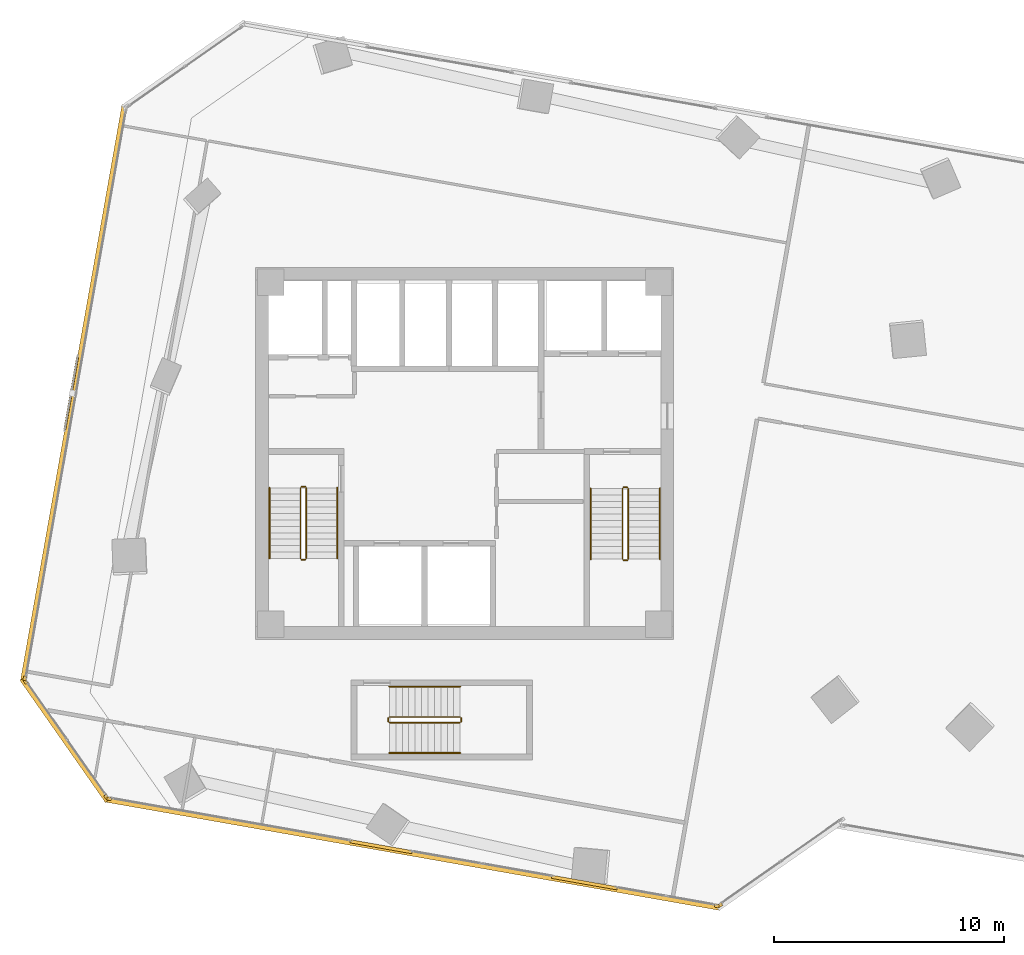
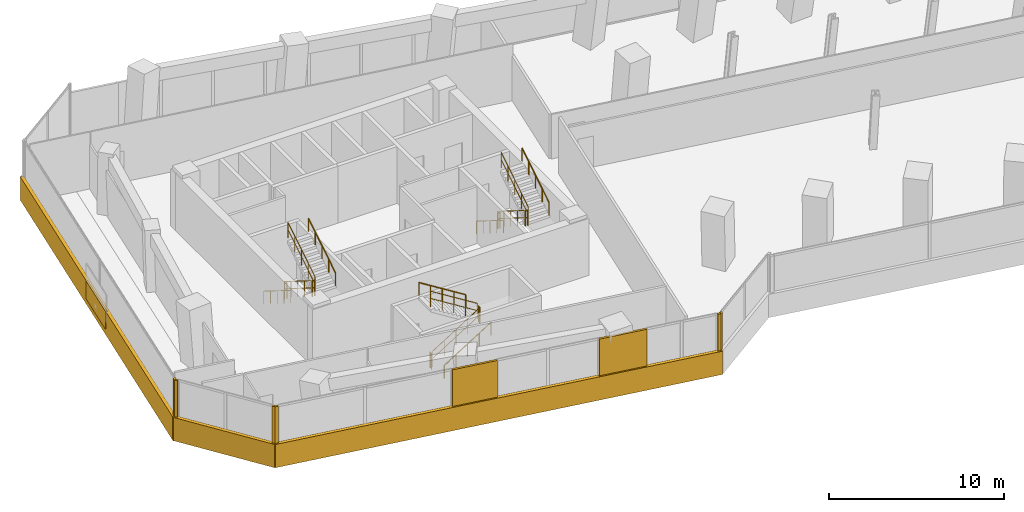
# One storey, part 22 of 24: 18 railings, 11 coverings, 1 shading device.
"""IFC4 building model written with IfcOpenShell, lengths in metres."""

from ifc_helpers import new_model, si_unit, direction, frame, origin, origin_2d, place, context, subcontext, project, spatial, rectangle, circle, extrude, source, transform, mapped, material, layer, layer_set, type_object, element, save


model = new_model("IFC4")

# Units and contexts
model_context = context("Model", 3, precision=1e-05, world=origin(), true_north=direction((0.0, 1.0)))
body_context = subcontext(model_context, "Body", "Model", "MODEL_VIEW")
ifc_project = project(units=[si_unit("LENGTHUNIT", "METRE"), si_unit("AREAUNIT", "SQUARE_METRE"), si_unit("VOLUMEUNIT", "CUBIC_METRE"), si_unit("PLANEANGLEUNIT", "RADIAN"), si_unit("MASSUNIT", "GRAM", prefix="KILO")], contexts=[model_context])

# Site, building, storey
site_placement = place(None, origin())
site = spatial("IfcSite", under=ifc_project, at=site_placement, CompositionType="ELEMENT")
building_placement = place(site_placement, origin())
building = spatial("IfcBuilding", under=site, at=building_placement, Name="Torre Montelarca", CompositionType="ELEMENT")
storey_placement = place(building_placement, frame((0.0, 0.0, 83.199951171875)))
storey = spatial("IfcBuildingStorey", under=building, at=storey_placement, Name="L18", CompositionType="ELEMENT", Elevation=83.199951171875)

# Railings
ifc_material_1 = material(Name="Powder-coated steel ASTM A500 Grade C", Category="steel")
railing_type_1 = type_object("IfcRailingType", Name="RL-GUARD-1100", PredefinedType="BALUSTRADE", material=ifc_material_1)
railing_1_placement = place(storey_placement, frame((10.85009765625, 30.5, 0.175048828125)))
element("IfcRailing", 1, at=railing_1_placement, inside=storey, type_object=railing_type_1, Name="L18 ST1 stair guard 1", PredefinedType="BALUSTRADE", context=body_context, shape_type="SweptSolid", body=[
    extrude(circle(Radius=0.02392578125, at=origin_2d()), frame((0.0, 0.0, 1.076171875), z_axis=(0.0, -0.847998304005, 0.529998940003), x_axis=(1.0, 0.0, 0.0)), (0.0, 0.0, 1.0), 3.632080078125),
    extrude(circle(Radius=0.02099609375, at=origin_2d()), frame((0.0, 0.0, 0.572021484375), z_axis=(0.0, -0.847998304005, 0.529998940003), x_axis=(1.0, 0.0, 0.0)), (0.0, 0.0, 1.0), 3.632080078125),
    extrude(circle(Radius=0.02099609375, at=origin_2d()), origin(), (0.0, 0.0, 1.0), 1.052001953125),
    extrude(circle(Radius=0.02099609375, at=origin_2d()), frame((0.0, -0.77001953125, 0.481201171875)), (0.0, 0.0, 1.0), 1.052001953125),
    extrude(circle(Radius=0.02099609375, at=origin_2d()), frame((0.0, -1.5400390625, 0.96240234375)), (0.0, 0.0, 1.0), 1.052001953125),
    extrude(circle(Radius=0.02099609375, at=origin_2d()), frame((0.0, -2.31005859375, 1.44384765625)), (0.0, 0.0, 1.0), 1.052001953125),
    extrude(circle(Radius=0.02099609375, at=origin_2d()), frame((0.0, -3.080078125, 1.925048828125)), (0.0, 0.0, 1.0), 1.052001953125),
])
railing_2_placement = place(storey_placement, frame((10.89990234375, 27.3701171875, 2.10009765625)))
element("IfcRailing", 2, at=railing_2_placement, inside=storey, type_object=railing_type_1, Name="L18 ST1 stair guard 2", PredefinedType="BALUSTRADE", context=body_context, shape_type="SweptSolid", body=[
    extrude(circle(Radius=0.02392578125, at=origin_2d()), frame((0.0, 0.0, 1.076171875), z_axis=(1.0, 0.0, 0.0), x_axis=(0.0, 1.0, 0.0)), (0.0, 0.0, 1.0), 0.150146484375),
    extrude(circle(Radius=0.02099609375, at=origin_2d()), frame((0.0, 0.0, 0.572021484375), z_axis=(1.0, 0.0, 0.0), x_axis=(0.0, 1.0, 0.0)), (0.0, 0.0, 1.0), 0.150146484375),
    extrude(circle(Radius=0.02099609375, at=origin_2d()), origin(), (0.0, 0.0, 1.0), 1.052001953125),
    extrude(circle(Radius=0.02099609375, at=origin_2d()), frame((0.150146484375, 0.0, 0.0)), (0.0, 0.0, 1.0), 1.052001953125),
])
railing_3_placement = place(storey_placement, frame((11.10009765625, 27.419921875, 2.275146484375)))
element("IfcRailing", 3, at=railing_3_placement, inside=storey, type_object=railing_type_1, Name="L18 ST1 stair guard 3", PredefinedType="BALUSTRADE", context=body_context, shape_type="SweptSolid", body=[
    extrude(circle(Radius=0.02392578125, at=origin_2d()), frame((0.0, 0.0, 1.076171875), z_axis=(0.0, 0.848028513186, 0.529950602248), x_axis=(-1.0, 0.0, 0.0)), (0.0, 0.0, 1.0), 3.632080078125),
    extrude(circle(Radius=0.02099609375, at=origin_2d()), frame((0.0, 0.0, 0.572021484375), z_axis=(0.0, 0.848028513186, 0.529950602248), x_axis=(-1.0, 0.0, 0.0)), (0.0, 0.0, 1.0), 3.632080078125),
    extrude(circle(Radius=0.02099609375, at=origin_2d()), origin(), (0.0, 0.0, 1.0), 1.052001953125),
    extrude(circle(Radius=0.02099609375, at=origin_2d()), frame((0.0, 0.77001953125, 0.481201171875)), (0.0, 0.0, 1.0), 1.052001953125),
    extrude(circle(Radius=0.02099609375, at=origin_2d()), frame((0.0, 1.5400390625, 0.96240234375)), (0.0, 0.0, 1.0), 1.052001953125),
    extrude(circle(Radius=0.02099609375, at=origin_2d()), frame((0.0, 2.31005859375, 1.443603515625)), (0.0, 0.0, 1.0), 1.052001953125),
    extrude(circle(Radius=0.02099609375, at=origin_2d()), frame((0.0, 3.080078125, 1.9248046875)), (0.0, 0.0, 1.0), 1.052001953125),
])
railing_4_placement = place(storey_placement, frame((10.89990234375, 30.550048828125, 0.0)))
element("IfcRailing", 4, at=railing_4_placement, inside=storey, type_object=railing_type_1, Name="L18 ST1 stair guard 4", PredefinedType="BALUSTRADE", context=body_context, shape_type="SweptSolid", body=[
    extrude(circle(Radius=0.02392578125, at=origin_2d()), frame((0.0, 0.0, 1.076171875), z_axis=(1.0, 0.0, 0.0), x_axis=(0.0, 1.0, 0.0)), (0.0, 0.0, 1.0), 0.150146484375),
    extrude(circle(Radius=0.02099609375, at=origin_2d()), frame((0.0, 0.0, 0.572021484375), z_axis=(1.0, 0.0, 0.0), x_axis=(0.0, 1.0, 0.0)), (0.0, 0.0, 1.0), 0.150146484375),
    extrude(circle(Radius=0.02099609375, at=origin_2d()), origin(), (0.0, 0.0, 1.0), 1.052001953125),
    extrude(circle(Radius=0.02099609375, at=origin_2d()), frame((0.150146484375, 0.0, 0.0)), (0.0, 0.0, 1.0), 1.052001953125),
])
railing_5_placement = place(storey_placement, frame((24.8701171875, 30.469970703125, 0.175048828125)))
element("IfcRailing", 5, at=railing_5_placement, inside=storey, type_object=railing_type_1, Name="L18 ST2 stair guard 1", PredefinedType="BALUSTRADE", context=body_context, shape_type="SweptSolid", body=[
    extrude(circle(Radius=0.02392578125, at=origin_2d()), frame((0.0, 0.0, 1.076171875), z_axis=(0.0, -0.847998304005, 0.529998940003), x_axis=(1.0, 0.0, 0.0)), (0.0, 0.0, 1.0), 3.632080078125),
    extrude(circle(Radius=0.02099609375, at=origin_2d()), frame((0.0, 0.0, 0.572021484375), z_axis=(0.0, -0.847998304005, 0.529998940003), x_axis=(1.0, 0.0, 0.0)), (0.0, 0.0, 1.0), 3.632080078125),
    extrude(circle(Radius=0.02099609375, at=origin_2d()), origin(), (0.0, 0.0, 1.0), 1.052001953125),
    extrude(circle(Radius=0.02099609375, at=origin_2d()), frame((0.0, -0.77001953125, 0.481201171875)), (0.0, 0.0, 1.0), 1.052001953125),
    extrude(circle(Radius=0.02099609375, at=origin_2d()), frame((0.0, -1.5400390625, 0.96240234375)), (0.0, 0.0, 1.0), 1.052001953125),
    extrude(circle(Radius=0.02099609375, at=origin_2d()), frame((0.0, -2.31005859375, 1.44384765625)), (0.0, 0.0, 1.0), 1.052001953125),
    extrude(circle(Radius=0.02099609375, at=origin_2d()), frame((0.0, -3.080078125, 1.925048828125)), (0.0, 0.0, 1.0), 1.052001953125),
])
railing_6_placement = place(storey_placement, frame((24.919921875, 27.340087890625, 2.10009765625)))
element("IfcRailing", 6, at=railing_6_placement, inside=storey, type_object=railing_type_1, Name="L18 ST2 stair guard 2", PredefinedType="BALUSTRADE", context=body_context, shape_type="SweptSolid", body=[
    extrude(circle(Radius=0.02392578125, at=origin_2d()), frame((0.0, 0.0, 1.076171875), z_axis=(1.0, 0.0, 0.0), x_axis=(0.0, 1.0, 0.0)), (0.0, 0.0, 1.0), 0.150146484375),
    extrude(circle(Radius=0.02099609375, at=origin_2d()), frame((0.0, 0.0, 0.572021484375), z_axis=(1.0, 0.0, 0.0), x_axis=(0.0, 1.0, 0.0)), (0.0, 0.0, 1.0), 0.150146484375),
    extrude(circle(Radius=0.02099609375, at=origin_2d()), origin(), (0.0, 0.0, 1.0), 1.052001953125),
    extrude(circle(Radius=0.02099609375, at=origin_2d()), frame((0.150146484375, 0.0, 0.0)), (0.0, 0.0, 1.0), 1.052001953125),
])
railing_7_placement = place(storey_placement, frame((25.1201171875, 27.389892578125, 2.275146484375)))
element("IfcRailing", 7, at=railing_7_placement, inside=storey, type_object=railing_type_1, Name="L18 ST2 stair guard 3", PredefinedType="BALUSTRADE", context=body_context, shape_type="SweptSolid", body=[
    extrude(circle(Radius=0.02392578125, at=origin_2d()), frame((0.0, 0.0, 1.076171875), z_axis=(0.0, 0.848028513186, 0.529950602248), x_axis=(-1.0, 0.0, 0.0)), (0.0, 0.0, 1.0), 3.632080078125),
    extrude(circle(Radius=0.02099609375, at=origin_2d()), frame((0.0, 0.0, 0.572021484375), z_axis=(0.0, 0.848028513186, 0.529950602248), x_axis=(-1.0, 0.0, 0.0)), (0.0, 0.0, 1.0), 3.632080078125),
    extrude(circle(Radius=0.02099609375, at=origin_2d()), origin(), (0.0, 0.0, 1.0), 1.052001953125),
    extrude(circle(Radius=0.02099609375, at=origin_2d()), frame((0.0, 0.77001953125, 0.481201171875)), (0.0, 0.0, 1.0), 1.052001953125),
    extrude(circle(Radius=0.02099609375, at=origin_2d()), frame((0.0, 1.5400390625, 0.96240234375)), (0.0, 0.0, 1.0), 1.052001953125),
    extrude(circle(Radius=0.02099609375, at=origin_2d()), frame((0.0, 2.31005859375, 1.443603515625)), (0.0, 0.0, 1.0), 1.052001953125),
    extrude(circle(Radius=0.02099609375, at=origin_2d()), frame((0.0, 3.080078125, 1.9248046875)), (0.0, 0.0, 1.0), 1.052001953125),
])
railing_8_placement = place(storey_placement, frame((24.919921875, 30.52001953125, 0.0)))
element("IfcRailing", 8, at=railing_8_placement, inside=storey, type_object=railing_type_1, Name="L18 ST2 stair guard 4", PredefinedType="BALUSTRADE", context=body_context, shape_type="SweptSolid", body=[
    extrude(circle(Radius=0.02392578125, at=origin_2d()), frame((0.0, 0.0, 1.076171875), z_axis=(1.0, 0.0, 0.0), x_axis=(0.0, 1.0, 0.0)), (0.0, 0.0, 1.0), 0.150146484375),
    extrude(circle(Radius=0.02099609375, at=origin_2d()), frame((0.0, 0.0, 0.572021484375), z_axis=(1.0, 0.0, 0.0), x_axis=(0.0, 1.0, 0.0)), (0.0, 0.0, 1.0), 0.150146484375),
    extrude(circle(Radius=0.02099609375, at=origin_2d()), origin(), (0.0, 0.0, 1.0), 1.052001953125),
    extrude(circle(Radius=0.02099609375, at=origin_2d()), frame((0.150146484375, 0.0, 0.0)), (0.0, 0.0, 1.0), 1.052001953125),
])
railing_9_placement = place(storey_placement, frame((14.719970703125, 20.27001953125, 0.175048828125)))
element("IfcRailing", 9, at=railing_9_placement, inside=storey, type_object=railing_type_1, Name="L18 ST3 stair guard 1", PredefinedType="BALUSTRADE", context=body_context, shape_type="SweptSolid", body=[
    extrude(circle(Radius=0.02392578125, at=origin_2d()), frame((0.0, 0.0, 1.076171875), z_axis=(0.847998304005, 0.0, 0.529998940003), x_axis=(0.0, 1.0, 0.0)), (0.0, 0.0, 1.0), 3.632080078125),
    extrude(circle(Radius=0.02099609375, at=origin_2d()), frame((0.0, 0.0, 0.572021484375), z_axis=(0.847998304005, 0.0, 0.529998940003), x_axis=(0.0, 1.0, 0.0)), (0.0, 0.0, 1.0), 3.632080078125),
    extrude(circle(Radius=0.02099609375, at=origin_2d()), origin(), (0.0, 0.0, 1.0), 1.052001953125),
    extrude(circle(Radius=0.02099609375, at=origin_2d()), frame((0.77001953125, 0.0, 0.481201171875)), (0.0, 0.0, 1.0), 1.052001953125),
    extrude(circle(Radius=0.02099609375, at=origin_2d()), frame((1.5400390625, 0.0, 0.96240234375)), (0.0, 0.0, 1.0), 1.052001953125),
    extrude(circle(Radius=0.02099609375, at=origin_2d()), frame((2.31005859375, 0.0, 1.44384765625)), (0.0, 0.0, 1.0), 1.052001953125),
    extrude(circle(Radius=0.02099609375, at=origin_2d()), frame((3.080078125, 0.0, 1.925048828125)), (0.0, 0.0, 1.0), 1.052001953125),
])
railing_10_placement = place(storey_placement, frame((17.85009765625, 20.320068359375, 2.10009765625)))
element("IfcRailing", 10, at=railing_10_placement, inside=storey, type_object=railing_type_1, Name="L18 ST3 stair guard 2", PredefinedType="BALUSTRADE", context=body_context, shape_type="SweptSolid", body=[
    extrude(circle(Radius=0.02392578125, at=origin_2d()), frame((0.0, 0.0, 1.076171875), z_axis=(0.0, 1.0, 0.0), x_axis=(-1.0, 0.0, 0.0)), (0.0, 0.0, 1.0), 0.14990234375),
    extrude(circle(Radius=0.02099609375, at=origin_2d()), frame((0.0, 0.0, 0.572021484375), z_axis=(0.0, 1.0, 0.0), x_axis=(-1.0, 0.0, 0.0)), (0.0, 0.0, 1.0), 0.14990234375),
    extrude(circle(Radius=0.02099609375, at=origin_2d()), origin(), (0.0, 0.0, 1.0), 1.052001953125),
    extrude(circle(Radius=0.02099609375, at=origin_2d()), frame((0.0, 0.14990234375, 0.0)), (0.0, 0.0, 1.0), 1.052001953125),
])
railing_11_placement = place(storey_placement, frame((17.800048828125, 20.52001953125, 2.275146484375)))
element("IfcRailing", 11, at=railing_11_placement, inside=storey, type_object=railing_type_1, Name="L18 ST3 stair guard 3", PredefinedType="BALUSTRADE", context=body_context, shape_type="SweptSolid", body=[
    extrude(circle(Radius=0.02392578125, at=origin_2d()), frame((0.0, 0.0, 1.076171875), z_axis=(-0.848028513186, 0.0, 0.529950602248), x_axis=(0.0, -1.0, 0.0)), (0.0, 0.0, 1.0), 3.632080078125),
    extrude(circle(Radius=0.02099609375, at=origin_2d()), frame((0.0, 0.0, 0.572021484375), z_axis=(-0.848028513186, 0.0, 0.529950602248), x_axis=(0.0, -1.0, 0.0)), (0.0, 0.0, 1.0), 3.632080078125),
    extrude(circle(Radius=0.02099609375, at=origin_2d()), origin(), (0.0, 0.0, 1.0), 1.052001953125),
    extrude(circle(Radius=0.02099609375, at=origin_2d()), frame((-0.77001953125, 0.0, 0.481201171875)), (0.0, 0.0, 1.0), 1.052001953125),
    extrude(circle(Radius=0.02099609375, at=origin_2d()), frame((-1.5400390625, 0.0, 0.96240234375)), (0.0, 0.0, 1.0), 1.052001953125),
    extrude(circle(Radius=0.02099609375, at=origin_2d()), frame((-2.31005859375, 0.0, 1.443603515625)), (0.0, 0.0, 1.0), 1.052001953125),
    extrude(circle(Radius=0.02099609375, at=origin_2d()), frame((-3.080078125, 0.0, 1.9248046875)), (0.0, 0.0, 1.0), 1.052001953125),
])
railing_12_placement = place(storey_placement, frame((14.669921875, 20.320068359375, 0.0)))
element("IfcRailing", 12, at=railing_12_placement, inside=storey, type_object=railing_type_1, Name="L18 ST3 stair guard 4", PredefinedType="BALUSTRADE", context=body_context, shape_type="SweptSolid", body=[
    extrude(circle(Radius=0.02392578125, at=origin_2d()), frame((0.0, 0.0, 1.076171875), z_axis=(0.0, 1.0, 0.0), x_axis=(-1.0, 0.0, 0.0)), (0.0, 0.0, 1.0), 0.14990234375),
    extrude(circle(Radius=0.02099609375, at=origin_2d()), frame((0.0, 0.0, 0.572021484375), z_axis=(0.0, 1.0, 0.0), x_axis=(-1.0, 0.0, 0.0)), (0.0, 0.0, 1.0), 0.14990234375),
    extrude(circle(Radius=0.02099609375, at=origin_2d()), origin(), (0.0, 0.0, 1.0), 1.052001953125),
    extrude(circle(Radius=0.02099609375, at=origin_2d()), frame((0.0, 0.14990234375, 0.0)), (0.0, 0.0, 1.0), 1.052001953125),
])
ifc_material_2 = material(Name="Brushed stainless steel AISI 316", Category="steel")
railing_type_2 = type_object("IfcRailingType", Name="RL-HANDRAIL-900", PredefinedType="HANDRAIL", material=ifc_material_2)
railing_13_placement = place(storey_placement, frame((9.5, 30.5, 0.175048828125)))
element("IfcRailing", 13, at=railing_13_placement, inside=storey, type_object=railing_type_2, Name="L18 ST1 stair handrail 1", PredefinedType="HANDRAIL", context=body_context, shape_type="SweptSolid", body=[
    extrude(circle(Radius=0.02392578125, at=origin_2d()), frame((0.0, 0.0, 0.8759765625), z_axis=(0.0, -0.847998304005, 0.529998940003), x_axis=(1.0, 0.0, 0.0)), (0.0, 0.0, 1.0), 3.632080078125),
    extrude(circle(Radius=0.02099609375, at=origin_2d()), origin(), (0.0, 0.0, 1.0), 0.851806640625),
    extrude(circle(Radius=0.02099609375, at=origin_2d()), frame((0.0, -0.77001953125, 0.481201171875)), (0.0, 0.0, 1.0), 0.851806640625),
    extrude(circle(Radius=0.02099609375, at=origin_2d()), frame((0.0, -1.5400390625, 0.96240234375)), (0.0, 0.0, 1.0), 0.851806640625),
    extrude(circle(Radius=0.02099609375, at=origin_2d()), frame((0.0, -2.31005859375, 1.44384765625)), (0.0, 0.0, 1.0), 0.851806640625),
    extrude(circle(Radius=0.02099609375, at=origin_2d()), frame((0.0, -3.080078125, 1.925048828125)), (0.0, 0.0, 1.0), 0.851806640625),
])
railing_14_placement = place(storey_placement, frame((12.449951171875, 27.419921875, 2.275146484375)))
element("IfcRailing", 14, at=railing_14_placement, inside=storey, type_object=railing_type_2, Name="L18 ST1 stair handrail 2", PredefinedType="HANDRAIL", context=body_context, shape_type="SweptSolid", body=[
    extrude(circle(Radius=0.02392578125, at=origin_2d()), frame((0.0, 0.0, 0.8759765625), z_axis=(0.0, 0.848028513186, 0.529950602248), x_axis=(-1.0, 0.0, 0.0)), (0.0, 0.0, 1.0), 3.632080078125),
    extrude(circle(Radius=0.02099609375, at=origin_2d()), origin(), (0.0, 0.0, 1.0), 0.851806640625),
    extrude(circle(Radius=0.02099609375, at=origin_2d()), frame((0.0, 0.77001953125, 0.481201171875)), (0.0, 0.0, 1.0), 0.851806640625),
    extrude(circle(Radius=0.02099609375, at=origin_2d()), frame((0.0, 1.5400390625, 0.96240234375)), (0.0, 0.0, 1.0), 0.851806640625),
    extrude(circle(Radius=0.02099609375, at=origin_2d()), frame((0.0, 2.31005859375, 1.443603515625)), (0.0, 0.0, 1.0), 0.851806640625),
    extrude(circle(Radius=0.02099609375, at=origin_2d()), frame((0.0, 3.080078125, 1.9248046875)), (0.0, 0.0, 1.0), 0.851806640625),
])
railing_15_placement = place(storey_placement, frame((23.489990234375, 30.469970703125, 0.175048828125)))
element("IfcRailing", 15, at=railing_15_placement, inside=storey, type_object=railing_type_2, Name="L18 ST2 stair handrail 1", PredefinedType="HANDRAIL", context=body_context, shape_type="SweptSolid", body=[
    extrude(circle(Radius=0.02392578125, at=origin_2d()), frame((0.0, 0.0, 0.8759765625), z_axis=(0.0, -0.847998304005, 0.529998940003), x_axis=(1.0, 0.0, 0.0)), (0.0, 0.0, 1.0), 3.632080078125),
    extrude(circle(Radius=0.02099609375, at=origin_2d()), origin(), (0.0, 0.0, 1.0), 0.851806640625),
    extrude(circle(Radius=0.02099609375, at=origin_2d()), frame((0.0, -0.77001953125, 0.481201171875)), (0.0, 0.0, 1.0), 0.851806640625),
    extrude(circle(Radius=0.02099609375, at=origin_2d()), frame((0.0, -1.5400390625, 0.96240234375)), (0.0, 0.0, 1.0), 0.851806640625),
    extrude(circle(Radius=0.02099609375, at=origin_2d()), frame((0.0, -2.31005859375, 1.44384765625)), (0.0, 0.0, 1.0), 0.851806640625),
    extrude(circle(Radius=0.02099609375, at=origin_2d()), frame((0.0, -3.080078125, 1.925048828125)), (0.0, 0.0, 1.0), 0.851806640625),
])
railing_16_placement = place(storey_placement, frame((26.5, 27.389892578125, 2.275146484375)))
element("IfcRailing", 16, at=railing_16_placement, inside=storey, type_object=railing_type_2, Name="L18 ST2 stair handrail 2", PredefinedType="HANDRAIL", context=body_context, shape_type="SweptSolid", body=[
    extrude(circle(Radius=0.02392578125, at=origin_2d()), frame((0.0, 0.0, 0.8759765625), z_axis=(0.0, 0.848028513186, 0.529950602248), x_axis=(-1.0, 0.0, 0.0)), (0.0, 0.0, 1.0), 3.632080078125),
    extrude(circle(Radius=0.02099609375, at=origin_2d()), origin(), (0.0, 0.0, 1.0), 0.851806640625),
    extrude(circle(Radius=0.02099609375, at=origin_2d()), frame((0.0, 0.77001953125, 0.481201171875)), (0.0, 0.0, 1.0), 0.851806640625),
    extrude(circle(Radius=0.02099609375, at=origin_2d()), frame((0.0, 1.5400390625, 0.96240234375)), (0.0, 0.0, 1.0), 0.851806640625),
    extrude(circle(Radius=0.02099609375, at=origin_2d()), frame((0.0, 2.31005859375, 1.443603515625)), (0.0, 0.0, 1.0), 0.851806640625),
    extrude(circle(Radius=0.02099609375, at=origin_2d()), frame((0.0, 3.080078125, 1.9248046875)), (0.0, 0.0, 1.0), 0.851806640625),
])
railing_17_placement = place(storey_placement, frame((14.719970703125, 18.949951171875, 0.175048828125)))
element("IfcRailing", 17, at=railing_17_placement, inside=storey, type_object=railing_type_2, Name="L18 ST3 stair handrail 1", PredefinedType="HANDRAIL", context=body_context, shape_type="SweptSolid", body=[
    extrude(circle(Radius=0.02392578125, at=origin_2d()), frame((0.0, 0.0, 0.8759765625), z_axis=(0.847998304005, 0.0, 0.529998940003), x_axis=(0.0, 1.0, 0.0)), (0.0, 0.0, 1.0), 3.632080078125),
    extrude(circle(Radius=0.02099609375, at=origin_2d()), origin(), (0.0, 0.0, 1.0), 0.851806640625),
    extrude(circle(Radius=0.02099609375, at=origin_2d()), frame((0.77001953125, 0.0, 0.481201171875)), (0.0, 0.0, 1.0), 0.851806640625),
    extrude(circle(Radius=0.02099609375, at=origin_2d()), frame((1.5400390625, 0.0, 0.96240234375)), (0.0, 0.0, 1.0), 0.851806640625),
    extrude(circle(Radius=0.02099609375, at=origin_2d()), frame((2.31005859375, 0.0, 1.44384765625)), (0.0, 0.0, 1.0), 0.851806640625),
    extrude(circle(Radius=0.02099609375, at=origin_2d()), frame((3.080078125, 0.0, 1.925048828125)), (0.0, 0.0, 1.0), 0.851806640625),
])
railing_18_placement = place(storey_placement, frame((17.800048828125, 21.840087890625, 2.275146484375)))
element("IfcRailing", 18, at=railing_18_placement, inside=storey, type_object=railing_type_2, Name="L18 ST3 stair handrail 2", PredefinedType="HANDRAIL", context=body_context, shape_type="SweptSolid", body=[
    extrude(circle(Radius=0.02392578125, at=origin_2d()), frame((0.0, 0.0, 0.8759765625), z_axis=(-0.848028513186, 0.0, 0.529950602248), x_axis=(0.0, -1.0, 0.0)), (0.0, 0.0, 1.0), 3.632080078125),
    extrude(circle(Radius=0.02099609375, at=origin_2d()), origin(), (0.0, 0.0, 1.0), 0.851806640625),
    extrude(circle(Radius=0.02099609375, at=origin_2d()), frame((-0.77001953125, 0.0, 0.481201171875)), (0.0, 0.0, 1.0), 0.851806640625),
    extrude(circle(Radius=0.02099609375, at=origin_2d()), frame((-1.5400390625, 0.0, 0.96240234375)), (0.0, 0.0, 1.0), 0.851806640625),
    extrude(circle(Radius=0.02099609375, at=origin_2d()), frame((-2.31005859375, 0.0, 1.443603515625)), (0.0, 0.0, 1.0), 0.851806640625),
    extrude(circle(Radius=0.02099609375, at=origin_2d()), frame((-3.080078125, 0.0, 1.9248046875)), (0.0, 0.0, 1.0), 0.851806640625),
])

# Coverings
ifc_material_3 = material(Name="Bush-hammered warm white precast concrete C45/55", Category="concrete")
ifc_layer_1 = layer(ifc_material_3, 0.139892578125, Name="Bush-hammered warm white precast concrete C45/55", Category="concrete")
ifc_layer_set_1 = layer_set([ifc_layer_1], Name="Bush-hammered warm white precast concrete C45/55")
covering_type = type_object("IfcCoveringType", Name="COV-TRAY-CLAD", PredefinedType="CLADDING", material=ifc_layer_set_1)
shared_shape_1 = source(origin(), body_context, "Body", "SweptSolid", [
    extrude(rectangle(XDim=6.48388671875, YDim=0.219970703125, at=origin_2d()), origin(), (0.0, 0.0, 1.0), 1.6201171875),
])
covering_1_placement = place(storey_placement, frame((0.585205078125, 19.513427734375, -0.449951171875), z_axis=(0.0, 0.0, 1.0), x_axis=(0.573570717577, -0.819156048588, 0.0)))
element("IfcCovering", 19, at=covering_1_placement, inside=storey, type_object=covering_type, Name="L18 Architectural White Spandrel Tray Band TRYBOT-11", PredefinedType="CLADDING", context=body_context, shape_type="MappedRepresentation", body=[
    mapped(shared_shape_1, transform((0.0, 0.0, 0.0), scale=1.0)),
])
shared_shape_2 = source(origin(), body_context, "Body", "SweptSolid", [
    extrude(rectangle(XDim=25.52001953125, YDim=0.219970703125, at=origin_2d()), origin(), (0.0, 0.0, 1.0), 1.6201171875),
])
covering_2_placement = place(storey_placement, frame((0.970458984375, 34.6044921875, -0.449951171875), z_axis=(0.0, 0.0, 1.0), x_axis=(-0.17364989648, -0.984807449937, 0.0)))
element("IfcCovering", 20, at=covering_2_placement, inside=storey, type_object=covering_type, Name="L18 Architectural White Spandrel Tray Band TRYBOT-10", PredefinedType="CLADDING", context=body_context, shape_type="MappedRepresentation", body=[
    mapped(shared_shape_2, transform((0.0, 0.0, 0.0), scale=1.0)),
])
shared_shape_3 = source(origin(), body_context, "Body", "SweptSolid", [
    extrude(rectangle(XDim=27.219970703125, YDim=0.219970703125, at=origin_2d()), origin(), (0.0, 0.0, 1.0), 1.6201171875),
])
covering_3_placement = place(storey_placement, frame((15.735107421875, 14.566162109375, -0.449951171875), z_axis=(0.0, 0.0, 1.0), x_axis=(0.984807449937, -0.17364989648, 0.0)))
element("IfcCovering", 21, at=covering_3_placement, inside=storey, type_object=covering_type, Name="L18 Architectural White Spandrel Tray Band TRYBOT-01", PredefinedType="CLADDING", context=body_context, shape_type="MappedRepresentation", body=[
    mapped(shared_shape_3, transform((0.0, 0.0, 0.0), scale=1.0)),
])

# Shading device
ifc_material_4 = material(Name="Architectural perforated terracotta ceramic", Category="masonry")
ifc_layer_2 = layer(ifc_material_4, 0.080078125, Name="Architectural perforated terracotta ceramic", Category="masonry")
ifc_layer_set_2 = layer_set([ifc_layer_2], Name="Architectural perforated terracotta ceramic")
shading_device_type = type_object("IfcShadingDeviceType", Name="SHD-JALOUSIE-1", PredefinedType="JALOUSIE", material=ifc_layer_set_2)
shared_shape_4 = source(origin(), body_context, "Body", "SweptSolid", [
    extrude(rectangle(XDim=3.199951171875, YDim=0.10009765625, at=origin_2d()), origin(), (0.0, 0.0, 1.0), 1.25),
])
shading_device_placement = place(storey_placement, frame((0.862060546875, 34.62353515625, -0.0048828125), z_axis=(0.0, 0.0, 1.0), x_axis=(-0.17364989648, -0.984807449937, 0.0)))
element("IfcShadingDevice", 22, at=shading_device_placement, inside=storey, type_object=shading_device_type, Name="L18 Facade Solar Shading Device E10", PredefinedType="JALOUSIE", context=body_context, shape_type="MappedRepresentation", body=[
    mapped(shared_shape_4, transform((0.0, 0.0, 0.0), scale=1.0)),
])

# Coverings
shared_shape_5 = source(origin(), body_context, "Body", "SweptSolid", [
    extrude(rectangle(XDim=0.199951171875, YDim=0.139892578125, at=origin_2d()), origin(), (0.0, 0.0, 1.0), 3.719970703125),
])
for number, where, z_axis, x_axis, name in (
    (23, (2.515380859375, 16.9580078125, 0.0), (0.0, 0.0, 1.0), (0.984807753012, -0.173648177667, 0.0), "L18 Architectural Column Pier Cladding E01-1"),
    (24, (28.9755859375, 12.29248046875, 0.0), (0.0, 0.0, 1.0), (0.984807753012, -0.173648177667, 0.0), "L18 Architectural Column Pier Cladding E01-4"),
    (25, (29.1171875, 12.323974609375, 0.0), (0.0, 0.0, 1.0), (0.819155047517, 0.573572147273, 0.0), "L18 Architectural Column Pier Cladding E02-1"),
    (26, (-1.15576171875, 22.201171875, 0.0), (0.0, 0.0, 1.0), (-0.173648177667, -0.984807753012, 0.0), "L18 Architectural Column Pier Cladding E10-2"),
    (27, (-1.124267578125, 22.0595703125, 0.0), (0.0, 0.0, 1.0), (0.573557850233, -0.819165058115, 0.0), "L18 Architectural Column Pier Cladding E11-1"),
    (28, (2.39306640625, 17.0361328125, 0.0), (0.0, 0.0, 1.0), (0.573557850233, -0.819165058115, 0.0), "L18 Architectural Column Pier Cladding E11-2"),
):
    element("IfcCovering", number, at=place(storey_placement, frame(where, z_axis=z_axis, x_axis=x_axis)), inside=storey, type_object=covering_type, Name=name, PredefinedType="CLADDING", context=body_context, shape_type="MappedRepresentation", body=[
        mapped(shared_shape_5, transform((0.0, 0.0, 0.0), scale=1.0)),
    ])
shared_shape_6 = source(origin(), body_context, "Body", "SweptSolid", [
    extrude(rectangle(XDim=2.888916015625, YDim=0.139892578125, at=origin_2d()), origin(), (0.0, 0.0, 1.0), 3.719970703125),
])
covering_4_placement = place(storey_placement, frame((23.21435546875, 13.308349609375, 0.0), z_axis=(0.0, 0.0, 1.0), x_axis=(0.984807753012, -0.173648177667, 0.0)))
element("IfcCovering", 29, at=covering_4_placement, inside=storey, type_object=covering_type, Name="L18 Architectural Column Pier Cladding E01-3", PredefinedType="CLADDING", context=body_context, shape_type="MappedRepresentation", body=[
    mapped(shared_shape_6, transform((0.0, 0.0, 0.0), scale=1.0)),
])
shared_shape_7 = source(origin(), body_context, "Body", "SweptSolid", [
    extrude(rectangle(XDim=2.732421875, YDim=0.139892578125, at=origin_2d()), origin(), (0.0, 0.0, 1.0), 3.719970703125),
])
covering_5_placement = place(storey_placement, frame((14.356201171875, 14.870361328125, 0.0), z_axis=(0.0, 0.0, 1.0), x_axis=(0.984807753012, -0.173648177667, 0.0)))
element("IfcCovering", 30, at=covering_5_placement, inside=storey, type_object=covering_type, Name="L18 Architectural Column Pier Cladding E01-2", PredefinedType="CLADDING", context=body_context, shape_type="MappedRepresentation", body=[
    mapped(shared_shape_7, transform((0.0, 0.0, 0.0), scale=1.0)),
])

save(model, "model.ifc")
